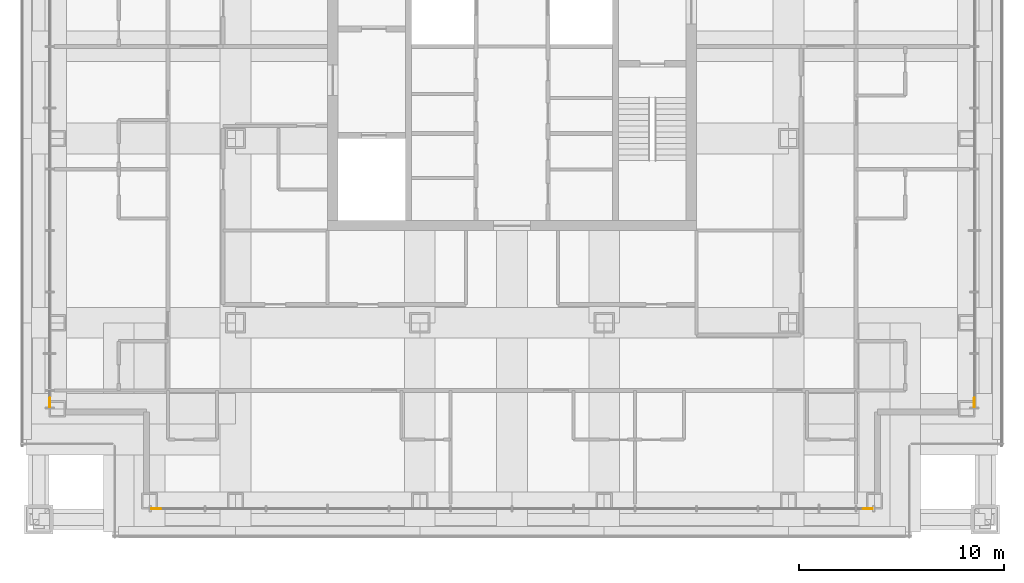
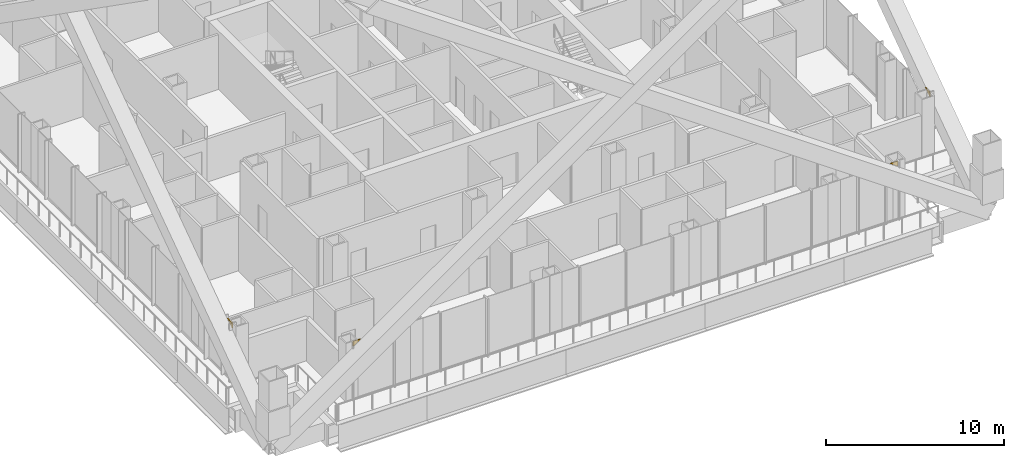
# One storey, part 17 of 18: 4 coverings.
"""IFC4 building model written with IfcOpenShell, lengths in metres."""

from ifc_helpers import new_model, si_unit, direction, frame, origin, place, context, subcontext, project, spatial, polyline, outline, extrude, material, layer, layer_set, type_object, element, save


model = new_model("IFC4")

# Units and contexts
model_context = context("Model", 3, precision=1e-05, world=origin(), true_north=direction((0.0, 1.0)))
body_context = subcontext(model_context, "Body", "Model", "MODEL_VIEW")
ifc_project = project(units=[si_unit("LENGTHUNIT", "METRE"), si_unit("AREAUNIT", "SQUARE_METRE"), si_unit("VOLUMEUNIT", "CUBIC_METRE"), si_unit("PLANEANGLEUNIT", "RADIAN"), si_unit("MASSUNIT", "GRAM", prefix="KILO")], contexts=[model_context])

# Site, building, storey
site_placement = place(None, origin())
site = spatial("IfcSite", under=ifc_project, at=site_placement, CompositionType="ELEMENT")
building_placement = place(site_placement, origin())
building = spatial("IfcBuilding", under=site, at=building_placement, Name="Malebo Sky Hospital", CompositionType="ELEMENT")
storey_placement = place(building_placement, frame((0.0, 0.0, 177.0)))
storey = spatial("IfcBuildingStorey", under=building, at=storey_placement, Name="L42", CompositionType="ELEMENT", Elevation=177.0)

# Coverings
ifc_material = material(Name="Anodised aluminium, natural silver insulated infill panel", Category="aluminium")
ifc_layer = layer(ifc_material, 0.0400390625)
ifc_layer_set = layer_set([ifc_layer], Name="BRACE INFILL PANEL 40")
covering_type = type_object("IfcCoveringType", Name="BRACE INFILL PANEL 40", PredefinedType="CLADDING", material=ifc_layer_set)
for number, where, z_axis, x_axis, name in (
    (1, (37.425048828125, 44.625732421875, 3.6376953125), (0.0, 0.0, 1.0), (0.0, 1.0, 0.0), "Brace infill panel 1.1"),
    (2, (77.374267578125, 39.425048828125, 3.6376953125), (0.0, 0.0, 1.0), (-1.0, 0.0, 0.0), "Brace infill panel 1.1"),
):
    element("IfcCovering", number, at=place(storey_placement, frame(where, z_axis=z_axis, x_axis=x_axis)), inside=storey, type_object=covering_type, Name=name, PredefinedType="CLADDING", context=body_context, shape_type="SweptSolid", body=[
        extrude(outline(polyline([(-0.250732421875, 0.0), (0.250732421875, 0.352294921875), (-0.250732421875, 0.352294921875), (-0.250732421875, 0.0)])), frame((0.0, 0.02001953125, 0.0), z_axis=(0.0, -1.0, 0.0), x_axis=(1.0, 0.0, 0.0)), (0.0, 0.0, 1.0), 0.0400390625),
    ])
for number, where, z_axis, x_axis, name in (
    (3, (42.625732421875, 39.425048828125, 3.6376953125), (0.0, 0.0, 1.0), (-1.0, 0.0, 0.0), "Brace infill panel 13.1"),
    (4, (82.574951171875, 44.625732421875, 3.6376953125), (0.0, 0.0, 1.0), (0.0, -1.0, 0.0), "Brace infill panel 13.1"),
):
    element("IfcCovering", number, at=place(storey_placement, frame(where, z_axis=z_axis, x_axis=x_axis)), inside=storey, type_object=covering_type, Name=name, PredefinedType="CLADDING", context=body_context, shape_type="SweptSolid", body=[
        extrude(outline(polyline([(0.250732421875, 0.0), (0.250732421875, 0.352294921875), (-0.250732421875, 0.352294921875), (0.250732421875, 0.0)])), frame((0.0, 0.02001953125, 0.0), z_axis=(0.0, -1.0, 0.0), x_axis=(1.0, 0.0, 0.0)), (0.0, 0.0, 1.0), 0.0400390625),
    ])

save(model, "model.ifc")
